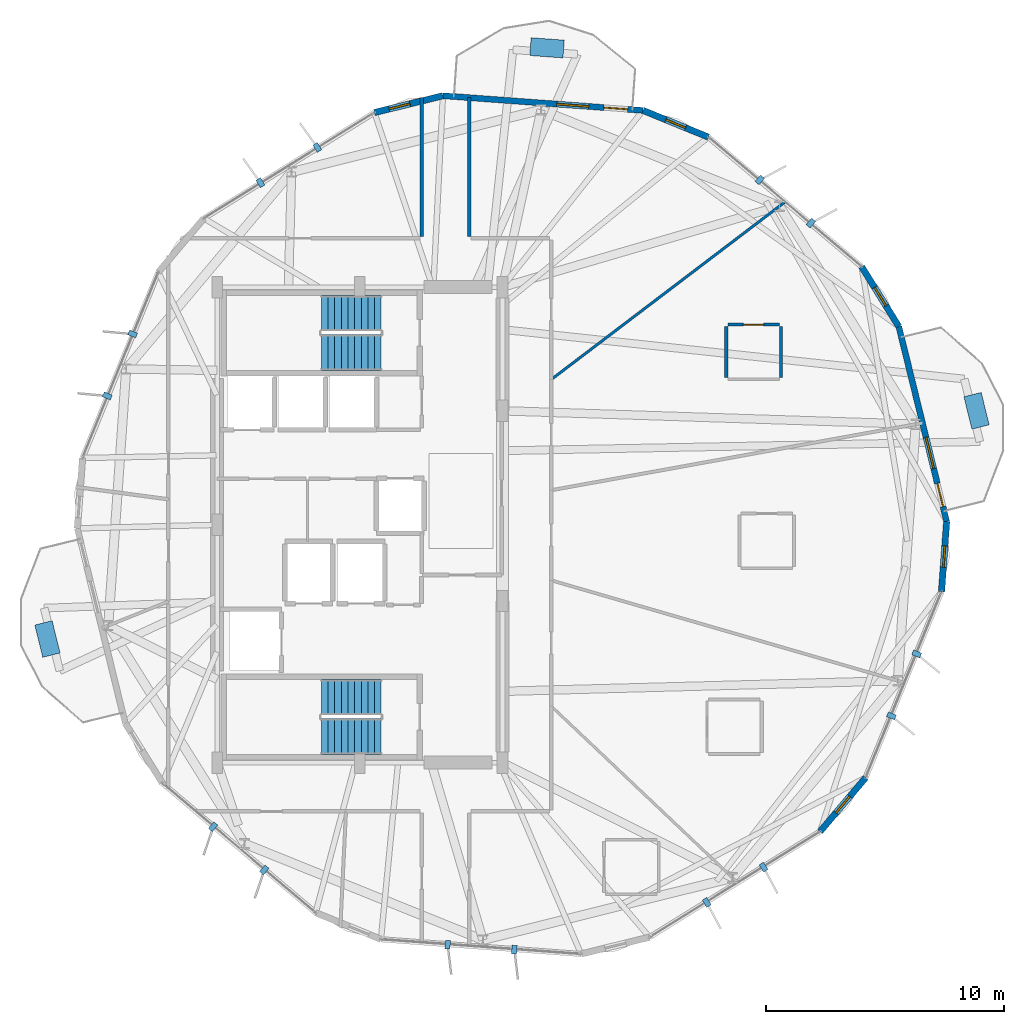
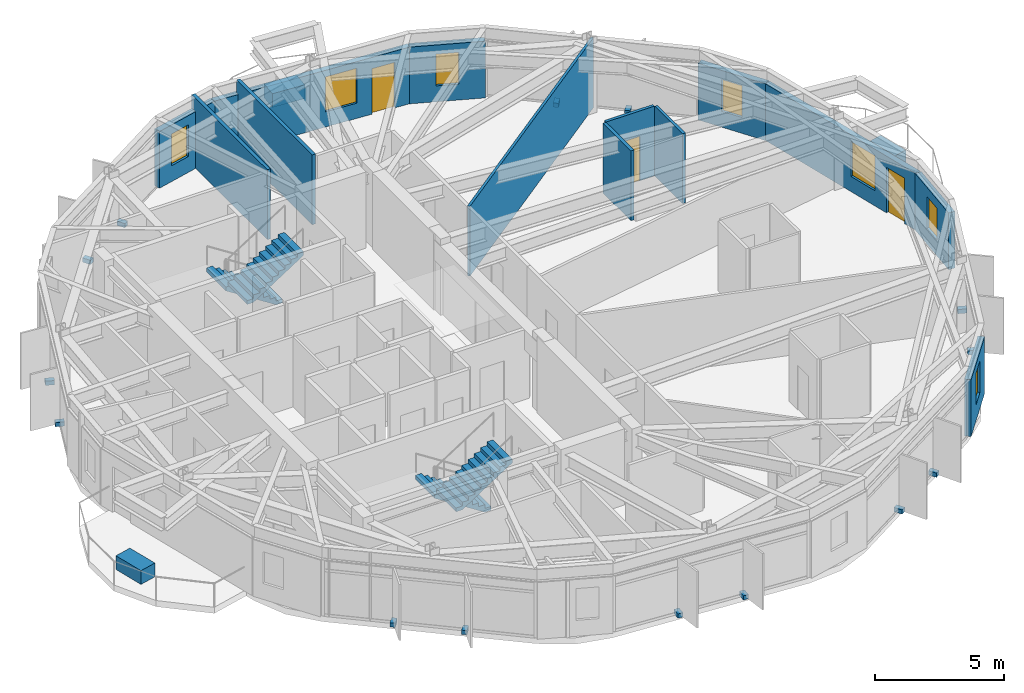
# One storey, part 17 of 21: 17 discrete accessories, 13 walls, 7 windows, 4 stair flights, 3 doors, 10 openings, 2 elements without a shape of their own.
"""IFC4 building model written with IfcOpenShell, lengths in metres."""

from ifc_helpers import new_model, si_unit, direction, frame, frame_2d, origin, origin_2d, place, context, subcontext, project, spatial, polyline, rectangle, outline, extrude, material, layer, layer_set, type_object, element, fill, aggregate, save


model = new_model("IFC4")

# Units and contexts
model_context = context("Model", 3, precision=1e-05, world=origin(), true_north=direction((0.0, 1.0)))
body_context = subcontext(model_context, "Body", "Model", "MODEL_VIEW")
ifc_project = project(units=[si_unit("LENGTHUNIT", "METRE"), si_unit("AREAUNIT", "SQUARE_METRE"), si_unit("VOLUMEUNIT", "CUBIC_METRE"), si_unit("PLANEANGLEUNIT", "RADIAN"), si_unit("MASSUNIT", "GRAM", prefix="KILO")], contexts=[model_context])

# Site, building, storey
site_placement = place(None, origin())
site = spatial("IfcSite", under=ifc_project, at=site_placement, CompositionType="ELEMENT")
building_placement = place(site_placement, origin())
building = spatial("IfcBuilding", under=site, at=building_placement, Name="Soratama Intermodal Tower", CompositionType="ELEMENT")
storey_placement = place(building_placement, frame((0.0, 0.0, 153.39990234375)))
storey = spatial("IfcBuildingStorey", under=building, at=storey_placement, Name="L37", CompositionType="ELEMENT", Elevation=153.39990234375)

# Wall, openings, door, window
ifc_material_1 = material(Name="Concrete f'c 42 MPa", Category="concrete")
ifc_layer_1 = layer(ifc_material_1, 0.25)
ifc_layer_set_1 = layer_set([ifc_layer_1], Name="Concrete f'c 42 MPa")
wall_type_1 = type_object("IfcWallType", Name="EW-BAL-250", PredefinedType="SOLIDWALL", material=ifc_layer_set_1)
wall_1_placement = place(storey_placement, frame((50.51171875, 42.431640625, 0.0), z_axis=(0.0, 0.0, 1.0), x_axis=(-0.997314433886, 0.073238787279, 0.0)))
wall_1 = element("IfcWall", 1, at=wall_1_placement, inside=storey, type_object=wall_type_1, Name="L37 Terrace Wall F02", PredefinedType="SOLIDWALL", context=body_context, shape_type="SweptSolid", body=[
    extrude(rectangle(XDim=8.4404296875, YDim=0.25, at=frame_2d((4.22021484375, 0.0))), origin(), (0.0, 0.0, 1.0), 2.67919921875),
])
opening_1_placement = place(wall_1_placement, frame((0.64990234375, 0.0, 0.0)))
opening_1 = element("IfcOpeningElement", 2, at=opening_1_placement, cuts=wall_1, Name="Opening ED-2", PredefinedType="OPENING", context=body_context, shape_type="SweptSolid", body=[
    extrude(rectangle(XDim=1.0, YDim=2.14990234375, at=frame_2d((0.5, 1.074951171875))), frame((0.0, 0.135009765625, 0.0), z_axis=(0.0, -1.0, 0.0), x_axis=(1.0, 0.0, 0.0)), (0.0, 0.0, 1.0), 0.27001953125),
])
opening_2_placement = place(wall_1_placement, frame((2.2900390625, 0.0, 0.719970703125)))
opening_2 = element("IfcOpeningElement", 3, at=opening_2_placement, cuts=wall_1, Name="Opening WN-4", PredefinedType="OPENING", context=body_context, shape_type="SweptSolid", body=[
    extrude(rectangle(XDim=1.35009765625, YDim=1.64990234375, at=frame_2d((0.675048828125, 0.824951171875))), frame((0.0, 0.135009765625, 0.0), z_axis=(0.0, -1.0, 0.0), x_axis=(1.0, 0.0, 0.0)), (0.0, 0.0, 1.0), 0.27001953125),
])
ifc_material_2 = material(Name="Double-glazed aluminium door", Category="aluminium")
door_type_1 = type_object("IfcDoorType", Name="DR-BAL-1000", OperationType="NOTDEFINED", PredefinedType="DOOR", material=ifc_material_2)
door_1_placement = place(opening_1_placement, origin())
door_1 = element("IfcDoor", 4, at=door_1_placement, inside=storey, type_object=door_type_1, Name="L37 Balcony Door F02", OperationType="SINGLE_SWING_RIGHT", OverallHeight=2.14990234375, OverallWidth=1.0, PredefinedType="DOOR", context=body_context, shape_type="SweptSolid", body=[
    extrude(rectangle(XDim=1.0, YDim=2.14990234375, at=frame_2d((0.5, 1.074951171875))), frame((0.0, 0.02490234375, 0.0), z_axis=(0.0, -1.0, 0.0), x_axis=(1.0, 0.0, 0.0)), (0.0, 0.0, 1.0), 0.050048828125),
])
fill(opening_1, door_1)
ifc_material_3 = material(Name="Double-glazed aluminium window", Category="aluminium")
window_type_1 = type_object("IfcWindowType", Name="WN-FAC-1350", PartitioningType="SINGLE_PANEL", PredefinedType="WINDOW", material=ifc_material_3)
window_1_placement = place(opening_2_placement, origin())
window_1 = element("IfcWindow", 5, at=window_1_placement, inside=storey, type_object=window_type_1, Name="L37 Window B F02", OverallHeight=1.64990234375, OverallWidth=1.35009765625, PartitioningType="SINGLE_PANEL", PredefinedType="WINDOW", context=body_context, shape_type="SweptSolid", body=[
    extrude(rectangle(XDim=1.35009765625, YDim=1.64990234375, at=frame_2d((0.675048828125, 0.824951171875))), frame((0.0, 0.030029296875, 0.0), z_axis=(0.0, -1.0, 0.0), x_axis=(1.0, 0.0, 0.0)), (0.0, 0.0, 1.0), 0.06005859375),
])
fill(opening_2, window_1)

wall_2_placement = place(storey_placement, frame((63.28173828125, 25.144775390625, 0.0), z_axis=(0.0, 0.0, 1.0), x_axis=(-0.238545314463, 0.971131367503, 0.0)))
wall_2 = element("IfcWall", 6, at=wall_2_placement, inside=storey, type_object=wall_type_1, Name="L37 Terrace Wall F10", PredefinedType="SOLIDWALL", context=body_context, shape_type="SweptSolid", body=[
    extrude(rectangle(XDim=8.4404296875, YDim=0.25, at=frame_2d((4.22021484375, 0.0))), origin(), (0.0, 0.0, 1.0), 2.67919921875),
])
opening_3_placement = place(wall_2_placement, frame((0.64990234375, 0.0, 0.0)))
opening_3 = element("IfcOpeningElement", 7, at=opening_3_placement, cuts=wall_2, Name="Opening ED-2", PredefinedType="OPENING", context=body_context, shape_type="SweptSolid", body=[
    extrude(rectangle(XDim=1.0, YDim=2.14990234375, at=frame_2d((0.5, 1.074951171875))), frame((0.0, 0.135009765625, 0.0), z_axis=(0.0, -1.0, 0.0), x_axis=(1.0, 0.0, 0.0)), (0.0, 0.0, 1.0), 0.27001953125),
])
opening_4_placement = place(wall_2_placement, frame((2.2900390625, 0.0, 0.719970703125)))
opening_4 = element("IfcOpeningElement", 8, at=opening_4_placement, cuts=wall_2, Name="Opening WN-4", PredefinedType="OPENING", context=body_context, shape_type="SweptSolid", body=[
    extrude(rectangle(XDim=1.35009765625, YDim=1.64990234375, at=frame_2d((0.675048828125, 0.824951171875))), frame((0.0, 0.135009765625, 0.0), z_axis=(0.0, -1.0, 0.0), x_axis=(1.0, 0.0, 0.0)), (0.0, 0.0, 1.0), 0.27001953125),
])
door_2_placement = place(opening_3_placement, origin())
door_2 = element("IfcDoor", 9, at=door_2_placement, inside=storey, type_object=door_type_1, Name="L37 Balcony Door F10", OperationType="SINGLE_SWING_RIGHT", OverallHeight=2.14990234375, OverallWidth=1.0, PredefinedType="DOOR", context=body_context, shape_type="SweptSolid", body=[
    extrude(rectangle(XDim=1.0, YDim=2.14990234375, at=frame_2d((0.5, 1.074951171875))), frame((0.0, 0.02490234375, 0.0), z_axis=(0.0, -1.0, 0.0), x_axis=(1.0, 0.0, 0.0)), (0.0, 0.0, 1.0), 0.050048828125),
])
fill(opening_3, door_2)
window_2_placement = place(opening_4_placement, origin())
window_2 = element("IfcWindow", 10, at=window_2_placement, inside=storey, type_object=window_type_1, Name="L37 Window B F10", OverallHeight=1.64990234375, OverallWidth=1.35009765625, PartitioningType="SINGLE_PANEL", PredefinedType="WINDOW", context=body_context, shape_type="SweptSolid", body=[
    extrude(rectangle(XDim=1.35009765625, YDim=1.64990234375, at=frame_2d((0.675048828125, 0.824951171875))), frame((0.0, 0.030029296875, 0.0), z_axis=(0.0, -1.0, 0.0), x_axis=(1.0, 0.0, 0.0)), (0.0, 0.0, 1.0), 0.06005859375),
])
fill(opening_4, window_2)

# Wall, opening, window
ifc_material_4 = material(Name="Concrete f'c 42 MPa", Category="concrete")
ifc_layer_2 = layer(ifc_material_4, 0.27001953125)
ifc_layer_set_2 = layer_set([ifc_layer_2], Name="Concrete f'c 42 MPa")
wall_type_2 = type_object("IfcWallType", Name="EW-CRN-270", PredefinedType="SOLIDWALL", material=ifc_layer_set_2)
wall_3_placement = place(storey_placement, frame((53.25830078125, 41.310791015625, 0.0), z_axis=(0.0, 0.0, 1.0), x_axis=(-0.925871735267, 0.377837967699, 0.0)))
wall_3 = element("IfcWall", 11, at=wall_3_placement, inside=storey, type_object=wall_type_2, Name="L37 Corner Closure Wall 01", PredefinedType="SOLIDWALL", context=body_context, shape_type="SweptSolid", body=[
    extrude(rectangle(XDim=2.966552734375, YDim=0.27001953125, at=frame_2d((1.4833984375, 0.0))), origin(), (0.0, 0.0, 1.0), 2.67919921875),
])
opening_5_placement = place(wall_3_placement, frame((1.033203125, 0.0, 0.75)))
opening_5 = element("IfcOpeningElement", 12, at=opening_5_placement, cuts=wall_3, Name="Opening WN-6", PredefinedType="OPENING", context=body_context, shape_type="SweptSolid", body=[
    extrude(rectangle(XDim=0.89990234375, YDim=1.5, at=frame_2d((0.449951171875, 0.75))), frame((0.0, 0.14501953125, 0.0), z_axis=(0.0, -1.0, 0.0), x_axis=(1.0, 0.0, 0.0)), (0.0, 0.0, 1.0), 0.2900390625),
])
ifc_material_5 = material(Name="Double-glazed aluminium window", Category="aluminium")
window_type_2 = type_object("IfcWindowType", Name="WN-FAC-900", PartitioningType="SINGLE_PANEL", PredefinedType="WINDOW", material=ifc_material_5)
window_3_placement = place(opening_5_placement, origin())
window_3 = element("IfcWindow", 13, at=window_3_placement, inside=storey, type_object=window_type_2, Name="L37 Corner Window 01", OverallHeight=1.5, OverallWidth=0.89990234375, PartitioningType="SINGLE_PANEL", PredefinedType="WINDOW", context=body_context, shape_type="SweptSolid", body=[
    extrude(rectangle(XDim=0.89990234375, YDim=1.5, at=frame_2d((0.449951171875, 0.75))), frame((0.0, 0.030029296875, 0.0), z_axis=(0.0, -1.0, 0.0), x_axis=(1.0, 0.0, 0.0)), (0.0, 0.0, 1.0), 0.06005859375),
])
fill(opening_5, window_3)

wall_4_placement = place(storey_placement, frame((42.093994140625, 43.0498046875, 0.0), z_axis=(0.0, 0.0, 1.0), x_axis=(-0.971145785541, -0.23848661016, 0.0)))
wall_4 = element("IfcWall", 14, at=wall_4_placement, inside=storey, type_object=wall_type_2, Name="L37 Corner Closure Wall 02", PredefinedType="SOLIDWALL", context=body_context, shape_type="SweptSolid", body=[
    extrude(rectangle(XDim=2.966796875, YDim=0.27001953125, at=frame_2d((1.4833984375, 0.0))), origin(), (0.0, 0.0, 1.0), 2.67919921875),
])
opening_6_placement = place(wall_4_placement, frame((1.422119140625, 0.0, 0.75)))
opening_6 = element("IfcOpeningElement", 15, at=opening_6_placement, cuts=wall_4, Name="Opening WN-6", PredefinedType="OPENING", context=body_context, shape_type="SweptSolid", body=[
    extrude(rectangle(XDim=0.89990234375, YDim=1.5, at=frame_2d((0.449951171875, 0.75))), frame((0.0, 0.14501953125, 0.0), z_axis=(0.0, -1.0, 0.0), x_axis=(1.0, 0.0, 0.0)), (0.0, 0.0, 1.0), 0.2900390625),
])
window_4_placement = place(opening_6_placement, origin())
window_4 = element("IfcWindow", 16, at=window_4_placement, inside=storey, type_object=window_type_2, Name="L37 Corner Window 02", OverallHeight=1.5, OverallWidth=0.89990234375, PartitioningType="SINGLE_PANEL", PredefinedType="WINDOW", context=body_context, shape_type="SweptSolid", body=[
    extrude(rectangle(XDim=0.89990234375, YDim=1.5, at=frame_2d((0.449951171875, 0.75))), frame((0.0, 0.030029296875, 0.0), z_axis=(0.0, -1.0, 0.0), x_axis=(1.0, 0.0, 0.0)), (0.0, 0.0, 1.0), 0.06005859375),
])
fill(opening_6, window_4)

wall_5_placement = place(storey_placement, frame((57.96044921875, 12.105712890625, 0.0), z_axis=(0.0, 0.0, 1.0), x_axis=(0.645495712839, 0.763763893299, 0.0)))
wall_5 = element("IfcWall", 17, at=wall_5_placement, inside=storey, type_object=wall_type_2, Name="L37 Corner Closure Wall 08", PredefinedType="SOLIDWALL", context=body_context, shape_type="SweptSolid", body=[
    extrude(rectangle(XDim=2.96630859375, YDim=0.27001953125, at=frame_2d((1.483154296875, 0.0))), origin(), (0.0, 0.0, 1.0), 2.67919921875),
])
opening_7_placement = place(wall_5_placement, frame((1.033203125, 0.0, 0.75)))
opening_7 = element("IfcOpeningElement", 18, at=opening_7_placement, cuts=wall_5, Name="Opening WN-6", PredefinedType="OPENING", context=body_context, shape_type="SweptSolid", body=[
    extrude(rectangle(XDim=0.89990234375, YDim=1.5, at=frame_2d((0.449951171875, 0.75))), frame((0.0, 0.14501953125, 0.0), z_axis=(0.0, -1.0, 0.0), x_axis=(1.0, 0.0, 0.0)), (0.0, 0.0, 1.0), 0.2900390625),
])
window_5_placement = place(opening_7_placement, origin())
window_5 = element("IfcWindow", 19, at=window_5_placement, inside=storey, type_object=window_type_2, Name="L37 Corner Window 08", OverallHeight=1.5, OverallWidth=0.89990234375, PartitioningType="SINGLE_PANEL", PredefinedType="WINDOW", context=body_context, shape_type="SweptSolid", body=[
    extrude(rectangle(XDim=0.89990234375, YDim=1.5, at=frame_2d((0.449951171875, 0.75))), frame((0.0, 0.030029296875, 0.0), z_axis=(0.0, -1.0, 0.0), x_axis=(1.0, 0.0, 0.0)), (0.0, 0.0, 1.0), 0.06005859375),
])
fill(opening_7, window_5)

wall_6_placement = place(storey_placement, frame((63.064453125, 22.186279296875, 0.0), z_axis=(0.0, 0.0, 1.0), x_axis=(0.073247177567, 0.997313817702, 0.0)))
wall_6 = element("IfcWall", 20, at=wall_6_placement, inside=storey, type_object=wall_type_2, Name="L37 Corner Closure Wall 09", PredefinedType="SOLIDWALL", context=body_context, shape_type="SweptSolid", body=[
    extrude(rectangle(XDim=2.966552734375, YDim=0.27001953125, at=frame_2d((1.4833984375, 0.0))), origin(), (0.0, 0.0, 1.0), 2.67919921875),
])
opening_8_placement = place(wall_6_placement, frame((1.033203125, 0.0, 0.75)))
opening_8 = element("IfcOpeningElement", 21, at=opening_8_placement, cuts=wall_6, Name="Opening WN-6", PredefinedType="OPENING", context=body_context, shape_type="SweptSolid", body=[
    extrude(rectangle(XDim=0.89990234375, YDim=1.5, at=frame_2d((0.449951171875, 0.75))), frame((0.0, 0.14501953125, 0.0), z_axis=(0.0, -1.0, 0.0), x_axis=(1.0, 0.0, 0.0)), (0.0, 0.0, 1.0), 0.2900390625),
])
window_6_placement = place(opening_8_placement, origin())
window_6 = element("IfcWindow", 22, at=window_6_placement, inside=storey, type_object=window_type_2, Name="L37 Corner Window 09", OverallHeight=1.5, OverallWidth=0.89990234375, PartitioningType="SINGLE_PANEL", PredefinedType="WINDOW", context=body_context, shape_type="SweptSolid", body=[
    extrude(rectangle(XDim=0.89990234375, YDim=1.5, at=frame_2d((0.449951171875, 0.75))), frame((0.0, 0.030029296875, 0.0), z_axis=(0.0, -1.0, 0.0), x_axis=(1.0, 0.0, 0.0)), (0.0, 0.0, 1.0), 0.06005859375),
])
fill(opening_8, window_6)

wall_7_placement = place(storey_placement, frame((61.268310546875, 33.341552734375, 0.0), z_axis=(0.0, 0.0, 1.0), x_axis=(-0.526955124945, 0.849893108746, 0.0)))
wall_7 = element("IfcWall", 23, at=wall_7_placement, inside=storey, type_object=wall_type_2, Name="L37 Corner Closure Wall 10", PredefinedType="SOLIDWALL", context=body_context, shape_type="SweptSolid", body=[
    extrude(rectangle(XDim=2.966552734375, YDim=0.27001953125, at=frame_2d((1.4833984375, 0.0))), origin(), (0.0, 0.0, 1.0), 2.67919921875),
])
opening_9_placement = place(wall_7_placement, frame((1.033203125, 0.0, 0.75)))
opening_9 = element("IfcOpeningElement", 24, at=opening_9_placement, cuts=wall_7, Name="Opening WN-6", PredefinedType="OPENING", context=body_context, shape_type="SweptSolid", body=[
    extrude(rectangle(XDim=0.89990234375, YDim=1.5, at=frame_2d((0.449951171875, 0.75))), frame((0.0, 0.14501953125, 0.0), z_axis=(0.0, -1.0, 0.0), x_axis=(1.0, 0.0, 0.0)), (0.0, 0.0, 1.0), 0.2900390625),
])
window_7_placement = place(opening_9_placement, origin())
window_7 = element("IfcWindow", 25, at=window_7_placement, inside=storey, type_object=window_type_2, Name="L37 Corner Window 10", OverallHeight=1.5, OverallWidth=0.89990234375, PartitioningType="SINGLE_PANEL", PredefinedType="WINDOW", context=body_context, shape_type="SweptSolid", body=[
    extrude(rectangle(XDim=0.89990234375, YDim=1.5, at=frame_2d((0.449951171875, 0.75))), frame((0.0, 0.030029296875, 0.0), z_axis=(0.0, -1.0, 0.0), x_axis=(1.0, 0.0, 0.0)), (0.0, 0.0, 1.0), 0.06005859375),
])
fill(opening_9, window_7)

# Walls
ifc_material_6 = material(Name="Fire-rated gypsum stud partition", Category="concrete")
ifc_layer_3 = layer(ifc_material_6, 0.14990234375)
ifc_layer_set_3 = layer_set([ifc_layer_3], Name="Fire-rated gypsum stud partition")
wall_type_3 = type_object("IfcWallType", Name="IW-PART-R150", PredefinedType="PARTITIONING", material=ifc_layer_set_3)
wall_8_placement = place(storey_placement, frame((41.199951171875, 37.1201171875, 0.0), z_axis=(0.0, 0.0, 1.0), x_axis=(0.0, 1.0, 0.0)))
element("IfcWall", 26, at=wall_8_placement, inside=storey, type_object=wall_type_3, Name="L37 Partition W-L37-TP011", PredefinedType="PARTITIONING", context=body_context, shape_type="SweptSolid", body=[
    extrude(rectangle(XDim=5.85498046875, YDim=0.14990234375, at=frame_2d((2.927490234375, 0.0))), origin(), (0.0, 0.0, 1.0), 3.300048828125),
])
wall_9_placement = place(storey_placement, frame((43.199951171875, 42.968994140625, 0.0), z_axis=(0.0, 0.0, 1.0), x_axis=(0.0, -1.0, 0.0)))
element("IfcWall", 27, at=wall_9_placement, inside=storey, type_object=wall_type_3, Name="L37 Partition W-L37-TP012", PredefinedType="PARTITIONING", context=body_context, shape_type="SweptSolid", body=[
    extrude(rectangle(XDim=5.848876953125, YDim=0.14990234375, at=frame_2d((2.92431640625, 0.0))), origin(), (0.0, 0.0, 1.0), 3.300048828125),
])
ifc_material_7 = material(Name="Fire-rated gypsum stud partition", Category="concrete")
ifc_layer_4 = layer(ifc_material_7, 0.110107421875)
ifc_layer_set_4 = layer_set([ifc_layer_4], Name="Fire-rated gypsum stud partition")
wall_type_4 = type_object("IfcWallType", Name="IW-PART-S110", PredefinedType="PARTITIONING", material=ifc_layer_set_4)
wall_10_placement = place(storey_placement, frame((46.64990234375, 31.114990234375, 0.0), z_axis=(0.0, 0.0, 1.0), x_axis=(0.796350735968, 0.604835105895, 0.0)))
element("IfcWall", 28, at=wall_10_placement, inside=storey, type_object=wall_type_4, Name="L37 Partition W-L37-TP003", PredefinedType="PARTITIONING", context=body_context, shape_type="SweptSolid", body=[
    extrude(rectangle(XDim=12.348876953125, YDim=0.110107421875, at=frame_2d((6.17431640625, 0.0))), origin(), (0.0, 0.0, 1.0), 3.300048828125),
])

# Wall, opening, door
ifc_material_8 = material(Name="Fire-rated gypsum stud partition", Category="concrete")
ifc_layer_5 = layer(ifc_material_8, 0.1298828125)
ifc_layer_set_5 = layer_set([ifc_layer_5], Name="Fire-rated gypsum stud partition")
wall_type_5 = type_object("IfcWallType", Name="IW-PART-S130", PredefinedType="PARTITIONING", material=ifc_layer_set_5)
wall_11_placement = place(storey_placement, frame((56.239990234375, 33.423095703125, 0.0), z_axis=(0.0, 0.0, 1.0), x_axis=(-1.0, 0.0, 0.0)))
wall_11 = element("IfcWall", 29, at=wall_11_placement, inside=storey, type_object=wall_type_5, Name="L37 Partition W-L37-TP031", PredefinedType="PARTITIONING", context=body_context, shape_type="SweptSolid", body=[
    extrude(rectangle(XDim=2.159912109375, YDim=0.1298828125, at=frame_2d((1.080078125, 0.0))), origin(), (0.0, 0.0, 1.0), 3.300048828125),
])
opening_10_placement = place(wall_11_placement, frame((0.655029296875, 0.0, 0.0)))
opening_10 = element("IfcOpeningElement", 30, at=opening_10_placement, cuts=wall_11, Name="Opening ID-4", PredefinedType="OPENING", context=body_context, shape_type="SweptSolid", body=[
    extrude(rectangle(XDim=0.85009765625, YDim=2.10009765625, at=frame_2d((0.425048828125, 1.050048828125))), frame((0.0, 0.074951171875, 0.0), z_axis=(0.0, -1.0, 0.0), x_axis=(1.0, 0.0, 0.0)), (0.0, 0.0, 1.0), 0.14990234375),
])
ifc_material_9 = material(Name="Solid hardwood acoustic door", Category="wood")
door_type_2 = type_object("IfcDoorType", Name="DR-BATH-850", OperationType="NOTDEFINED", PredefinedType="DOOR", material=ifc_material_9)
door_3_placement = place(opening_10_placement, origin())
door_3 = element("IfcDoor", 31, at=door_3_placement, inside=storey, type_object=door_type_2, Name="L37 Door D-L37-TP017", OperationType="SINGLE_SWING_RIGHT", OverallHeight=2.10009765625, OverallWidth=0.85009765625, PredefinedType="DOOR", context=body_context, shape_type="SweptSolid", body=[
    extrude(rectangle(XDim=0.85009765625, YDim=2.10009765625, at=frame_2d((0.425048828125, 1.050048828125))), frame((0.0, 0.02490234375, 0.0), z_axis=(0.0, -1.0, 0.0), x_axis=(1.0, 0.0, 0.0)), (0.0, 0.0, 1.0), 0.050048828125),
])
fill(opening_10, door_3)

# Walls
wall_12_placement = place(storey_placement, frame((56.31005859375, 31.193115234375, 0.0), z_axis=(0.0, 0.0, 1.0), x_axis=(0.0, 1.0, 0.0)))
element("IfcWall", 32, at=wall_12_placement, inside=storey, type_object=wall_type_5, Name="L37 Partition W-L37-TP036", PredefinedType="PARTITIONING", context=body_context, shape_type="SweptSolid", body=[
    extrude(rectangle(XDim=2.159912109375, YDim=0.1298828125, at=frame_2d((1.080078125, 0.0))), origin(), (0.0, 0.0, 1.0), 3.300048828125),
])
ifc_material_10 = material(Name="Fire-rated gypsum stud partition", Category="concrete")
ifc_layer_6 = layer(ifc_material_10, 0.139892578125)
ifc_layer_set_6 = layer_set([ifc_layer_6], Name="Fire-rated gypsum stud partition")
wall_type_6 = type_object("IfcWallType", Name="IW-PART-S140", PredefinedType="PARTITIONING", material=ifc_layer_set_6)
wall_13_placement = place(storey_placement, frame((54.010009765625, 33.35302734375, 0.0), z_axis=(0.0, 0.0, 1.0), x_axis=(0.0, -1.0, 0.0)))
element("IfcWall", 33, at=wall_13_placement, inside=storey, type_object=wall_type_6, Name="L37 Partition W-L37-TP035", PredefinedType="PARTITIONING", context=body_context, shape_type="SweptSolid", body=[
    extrude(rectangle(XDim=2.159912109375, YDim=0.139892578125, at=frame_2d((1.080078125, 0.0))), origin(), (0.0, 0.0, 1.0), 3.300048828125),
])

# Stair, stair flights
ifc_material_11 = material(Name="Concrete f'c 42 MPa", Category="concrete")
stair_type = type_object("IfcStairType", Name="ST-CORE-DOGLEG", PredefinedType="HALF_TURN_STAIR", material=ifc_material_11)
stair_1_placement = place(storey_placement, origin())
stair_1 = element("IfcStair", 34, at=stair_1_placement, inside=storey, type_object=stair_type, Name="L37 ST-1", PredefinedType="HALF_TURN_STAIR")
ifc_material_12 = material(Name="Precast concrete f'c 40 MPa", Category="concrete")
ifc_layer_7 = layer(ifc_material_12, 0.199951171875)
ifc_layer_set_7 = layer_set([ifc_layer_7], Name="Precast concrete f'c 40 MPa")
stair_flight_type = type_object("IfcStairFlightType", Name="SF-FLIGHT-RC", PredefinedType="STRAIGHT", material=ifc_layer_set_7)
stair_flight_1_placement = place(storey_placement, frame((39.5, 17.75, 0.0), z_axis=(0.0, 0.0, 1.0), x_axis=(-1.0, 0.0, 0.0)))
stair_flight_1 = element("IfcStairFlight", 35, at=stair_flight_1_placement, type_object=stair_flight_type, Name="ST-1 flight 1", NumberOfRisers=10, NumberOfTreads=9, PredefinedType="STRAIGHT", RiserHeight=0.18, TreadLength=0.28, context=body_context, shape_type="SweptSolid", body=[
    extrude(outline(polyline([(0.0, 0.0), (0.0, 0.179931640625), (0.280029296875, 0.179931640625), (0.280029296875, 0.360107421875), (0.56005859375, 0.360107421875), (0.56005859375, 0.5400390625), (0.840087890625, 0.5400390625), (0.840087890625, 0.719970703125), (1.1201171875, 0.719970703125), (1.1201171875, 0.89990234375), (1.39990234375, 0.89990234375), (1.39990234375, 1.080078125), (1.679931640625, 1.080078125), (1.679931640625, 1.260009765625), (1.9599609375, 1.260009765625), (1.9599609375, 1.43994140625), (2.239990234375, 1.43994140625), (2.239990234375, 1.6201171875), (2.52001953125, 1.6201171875), (2.52001953125, 1.800048828125), (2.52001953125, 1.44189453125), (0.277099609375, 0.0), (0.0, 0.0)])), frame((0.0, 0.75, 0.0), z_axis=(0.0, -1.0, 0.0), x_axis=(1.0, 0.0, 0.0)), (0.0, 0.0, 1.0), 1.5),
])
stair_flight_2_placement = place(storey_placement, frame((36.97998046875, 16.10009765625, 1.800048828125), z_axis=(0.0, 0.0, 1.0), x_axis=(1.0, 0.0, 0.0)))
stair_flight_2 = element("IfcStairFlight", 36, at=stair_flight_2_placement, type_object=stair_flight_type, Name="ST-1 flight 2", NumberOfRisers=10, NumberOfTreads=9, PredefinedType="STRAIGHT", RiserHeight=0.18, TreadLength=0.28, context=body_context, shape_type="SweptSolid", body=[
    extrude(outline(polyline([(0.0, 0.0), (0.0, 0.179931640625), (0.280029296875, 0.179931640625), (0.280029296875, 0.360107421875), (0.56005859375, 0.360107421875), (0.56005859375, 0.5400390625), (0.840087890625, 0.5400390625), (0.840087890625, 0.719970703125), (1.1201171875, 0.719970703125), (1.1201171875, 0.89990234375), (1.39990234375, 0.89990234375), (1.39990234375, 1.080078125), (1.679931640625, 1.080078125), (1.679931640625, 1.260009765625), (1.9599609375, 1.260009765625), (1.9599609375, 1.43994140625), (2.239990234375, 1.43994140625), (2.239990234375, 1.6201171875), (2.52001953125, 1.6201171875), (2.52001953125, 1.800048828125), (2.52001953125, 1.44189453125), (0.277099609375, 0.0), (0.0, 0.0)])), frame((0.0, 0.75, 0.0), z_axis=(0.0, -1.0, 0.0), x_axis=(1.0, 0.0, 0.0)), (0.0, 0.0, 1.0), 1.5),
])
aggregate(stair_1, [stair_flight_1, stair_flight_2])

stair_2_placement = place(storey_placement, origin())
stair_2 = element("IfcStair", 37, at=stair_2_placement, inside=storey, type_object=stair_type, Name="L37 ST-2", PredefinedType="HALF_TURN_STAIR")
stair_flight_3_placement = place(storey_placement, frame((39.5, 33.89990234375, 0.0), z_axis=(0.0, 0.0, 1.0), x_axis=(-1.0, 0.0, 0.0)))
stair_flight_3 = element("IfcStairFlight", 38, at=stair_flight_3_placement, type_object=stair_flight_type, Name="ST-2 flight 1", NumberOfRisers=10, NumberOfTreads=9, PredefinedType="STRAIGHT", RiserHeight=0.18, TreadLength=0.28, context=body_context, shape_type="SweptSolid", body=[
    extrude(outline(polyline([(0.0, 0.0), (0.0, 0.179931640625), (0.280029296875, 0.179931640625), (0.280029296875, 0.360107421875), (0.56005859375, 0.360107421875), (0.56005859375, 0.5400390625), (0.840087890625, 0.5400390625), (0.840087890625, 0.719970703125), (1.1201171875, 0.719970703125), (1.1201171875, 0.89990234375), (1.39990234375, 0.89990234375), (1.39990234375, 1.080078125), (1.679931640625, 1.080078125), (1.679931640625, 1.260009765625), (1.9599609375, 1.260009765625), (1.9599609375, 1.43994140625), (2.239990234375, 1.43994140625), (2.239990234375, 1.6201171875), (2.52001953125, 1.6201171875), (2.52001953125, 1.800048828125), (2.52001953125, 1.44189453125), (0.277099609375, 0.0), (0.0, 0.0)])), frame((0.0, 0.75, 0.0), z_axis=(0.0, -1.0, 0.0), x_axis=(1.0, 0.0, 0.0)), (0.0, 0.0, 1.0), 1.5),
])
stair_flight_4_placement = place(storey_placement, frame((36.97998046875, 32.25, 1.800048828125), z_axis=(0.0, 0.0, 1.0), x_axis=(1.0, 0.0, 0.0)))
stair_flight_4 = element("IfcStairFlight", 39, at=stair_flight_4_placement, type_object=stair_flight_type, Name="ST-2 flight 2", NumberOfRisers=10, NumberOfTreads=9, PredefinedType="STRAIGHT", RiserHeight=0.18, TreadLength=0.28, context=body_context, shape_type="SweptSolid", body=[
    extrude(outline(polyline([(0.0, 0.0), (0.0, 0.179931640625), (0.280029296875, 0.179931640625), (0.280029296875, 0.360107421875), (0.56005859375, 0.360107421875), (0.56005859375, 0.5400390625), (0.840087890625, 0.5400390625), (0.840087890625, 0.719970703125), (1.1201171875, 0.719970703125), (1.1201171875, 0.89990234375), (1.39990234375, 0.89990234375), (1.39990234375, 1.080078125), (1.679931640625, 1.080078125), (1.679931640625, 1.260009765625), (1.9599609375, 1.260009765625), (1.9599609375, 1.43994140625), (2.239990234375, 1.43994140625), (2.239990234375, 1.6201171875), (2.52001953125, 1.6201171875), (2.52001953125, 1.800048828125), (2.52001953125, 1.44189453125), (0.277099609375, 0.0), (0.0, 0.0)])), frame((0.0, 0.75, 0.0), z_axis=(0.0, -1.0, 0.0), x_axis=(1.0, 0.0, 0.0)), (0.0, 0.0, 1.0), 1.5),
])
aggregate(stair_2, [stair_flight_3, stair_flight_4])

# Discrete accessories
ifc_material_13 = material(Name="Structural steel ASTM A992 Grade 50", Category="steel")
discrete_accessory_type_1 = type_object("IfcDiscreteAccessoryType", Name="AC-FIN-BRACKET", PredefinedType="BRACKET", material=ifc_material_13)
for number, where, z_axis, x_axis, name in (
    (40, (57.569091796875, 37.694091796875, -0.080078125), (0.0, 0.0, 1.0), (0.645457687724, 0.763796028635, 0.0), "L37 Fin Bracket F01-1"),
    (41, (55.420166015625, 39.510009765625, -0.080078125), (0.0, 0.0, 1.0), (0.645457687724, 0.763796028635, 0.0), "L37 Fin Bracket F01-2"),
    (42, (36.811279296875, 40.876708984375, -0.080078125), (0.0, 0.0, 1.0), (-0.526955795497, 0.849892692987, 0.0), "L37 Fin Bracket F03-1"),
    (43, (34.420166015625, 39.39404296875, -0.080078125), (0.0, 0.0, 1.0), (-0.526955795497, 0.849892692987, 0.0), "L37 Fin Bracket F03-2"),
    (44, (29.043212890625, 33.03125, -0.080078125), (0.0, 0.0, 1.0), (-0.92587058481, 0.377840786818, 0.0), "L37 Fin Bracket F04-1"),
    (45, (27.97998046875, 30.42626953125, -0.080078125), (0.0, 0.0, 1.0), (-0.92587058481, 0.377840786818, 0.0), "L37 Fin Bracket F04-2"),
    (46, (32.430908203125, 12.305908203125, -0.080078125), (0.0, 0.0, 1.0), (-0.645457687724, -0.763796028635, 0.0), "L37 Fin Bracket F06-1"),
    (47, (34.579833984375, 10.489990234375, -0.080078125), (0.0, 0.0, 1.0), (-0.645457687724, -0.763796028635, 0.0), "L37 Fin Bracket F06-2"),
    (48, (42.292724609375, 7.34228515625, -0.080078125), (0.0, 0.0, 1.0), (-0.073238197128, -0.997314477224, 0.0), "L37 Fin Bracket F07-1"),
    (49, (45.0986328125, 7.13623046875, -0.080078125), (0.0, 0.0, 1.0), (-0.073238197128, -0.997314477224, 0.0), "L37 Fin Bracket F07-2"),
    (50, (53.188720703125, 9.123291015625, -0.080078125), (0.0, 0.0, 1.0), (0.526955795497, -0.849892692987, 0.0), "L37 Fin Bracket F08-1"),
    (51, (55.579833984375, 10.60595703125, -0.080078125), (0.0, 0.0, 1.0), (0.526955795497, -0.849892692987, 0.0), "L37 Fin Bracket F08-2"),
    (52, (60.956787109375, 16.96875, -0.080078125), (0.0, 0.0, 1.0), (0.92587058481, -0.377840786818, 0.0), "L37 Fin Bracket F09-1"),
    (53, (62.02001953125, 19.57373046875, -0.080078125), (0.0, 0.0, 1.0), (0.92587058481, -0.377840786818, 0.0), "L37 Fin Bracket F09-2"),
):
    element("IfcDiscreteAccessory", number, at=place(storey_placement, frame(where, z_axis=z_axis, x_axis=x_axis)), inside=storey, type_object=discrete_accessory_type_1, Name=name, PredefinedType="BRACKET", context=body_context, shape_type="SweptSolid", body=[
        extrude(rectangle(XDim=0.360107421875, YDim=0.219970703125, at=origin_2d()), origin(), (0.0, 0.0, 1.0), 0.199951171875),
    ])
ifc_material_14 = material(Name="Precast concrete f'c 40 MPa", Category="concrete")
discrete_accessory_type_2 = type_object("IfcDiscreteAccessoryType", Name="AC-PLANTER-TREE", PredefinedType="USERDEFINED", material=ifc_material_14)
for number, where, z_axis, x_axis, name in (
    (54, (64.53759765625, 29.799072265625, 0.000244140625), (0.0, 0.0, 1.0), (0.97113427991, 0.238533457579, 0.0), "L37 Tree Planter 1"),
    (55, (46.473388671875, 45.064453125, 0.000244140625), (0.0, 0.0, 1.0), (0.073238197128, 0.997314477224, 0.0), "L37 Tree Planter 2"),
    (56, (25.46240234375, 20.200927734375, 0.000244140625), (0.0, 0.0, 1.0), (-0.97113427991, -0.238533457579, 0.0), "L37 Tree Planter 3"),
):
    element("IfcDiscreteAccessory", number, at=place(storey_placement, frame(where, z_axis=z_axis, x_axis=x_axis)), inside=storey, type_object=discrete_accessory_type_2, Name=name, ObjectType="PLANTER", PredefinedType="USERDEFINED", context=body_context, shape_type="SweptSolid", body=[
        extrude(rectangle(XDim=0.75, YDim=1.39990234375, at=origin_2d()), origin(), (0.0, 0.0, 1.0), 0.64990234375),
    ])

save(model, "model.ifc")
